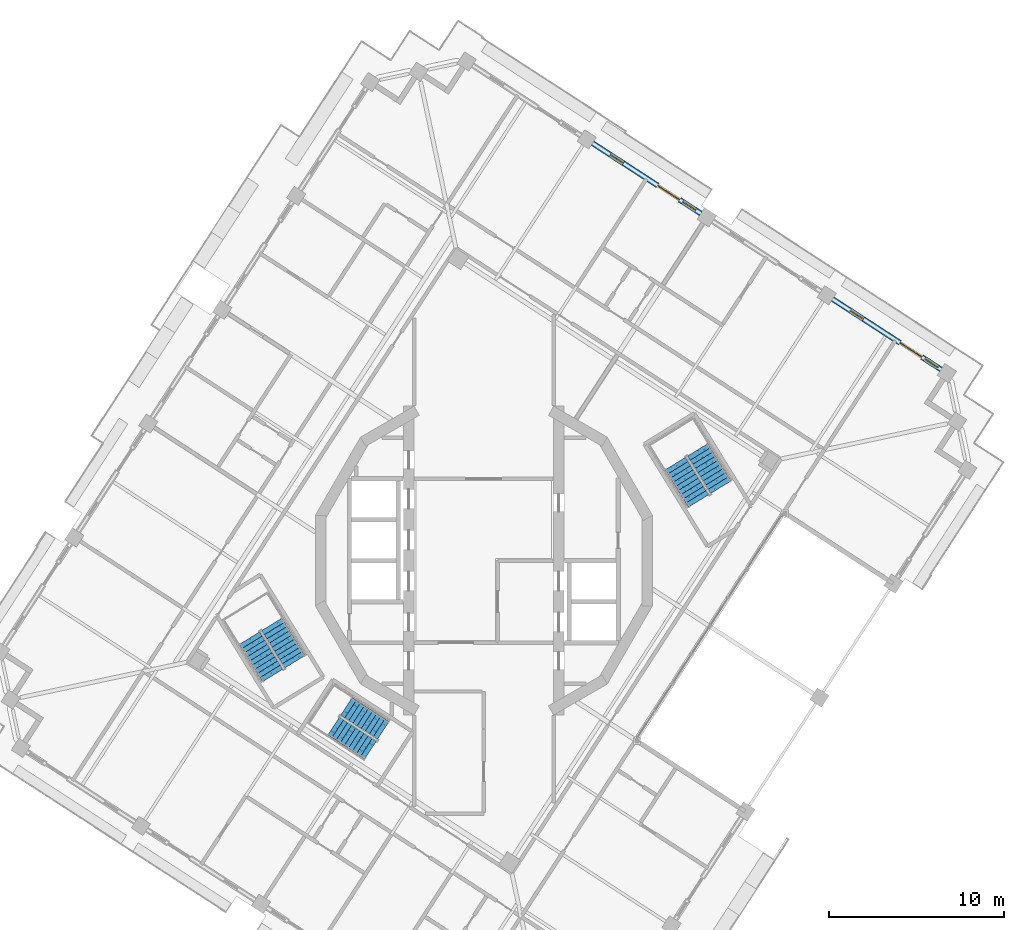
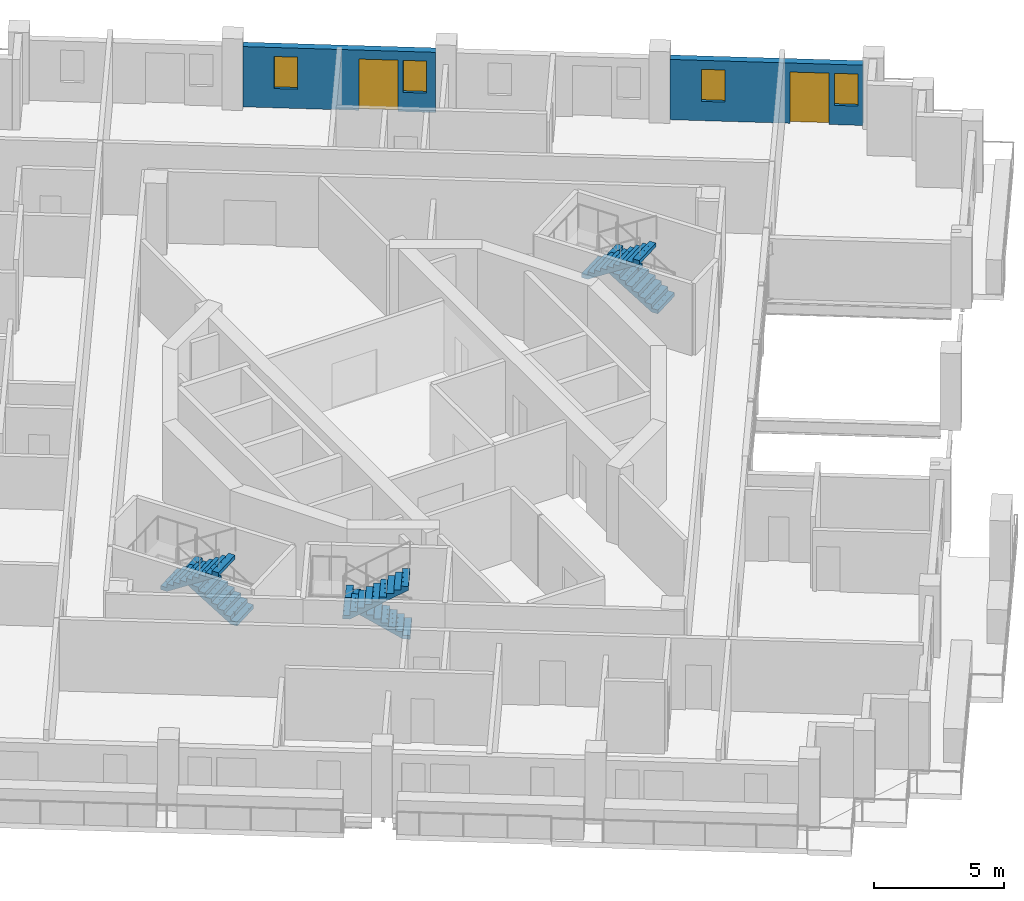
# One storey, part 11 of 17: 6 stair flights, 4 windows, 2 doors, 2 walls, 6 openings, 3 elements without a shape of their own.
"""IFC4 building model written with IfcOpenShell, lengths in metres."""

from ifc_helpers import new_model, si_unit, direction, frame, frame_2d, origin, place, context, subcontext, project, spatial, polyline, rectangle, outline, extrude, material, layer, layer_set, type_object, element, fill, aggregate, save


model = new_model("IFC4")

# Units and contexts
model_context = context("Model", 3, precision=1e-05, world=origin(), true_north=direction((0.0, 1.0)))
body_context = subcontext(model_context, "Body", "Model", "MODEL_VIEW")
ifc_project = project(units=[si_unit("LENGTHUNIT", "METRE"), si_unit("AREAUNIT", "SQUARE_METRE"), si_unit("VOLUMEUNIT", "CUBIC_METRE"), si_unit("PLANEANGLEUNIT", "RADIAN"), si_unit("MASSUNIT", "GRAM", prefix="KILO")], contexts=[model_context])

# Site, building, storey
site_placement = place(None, origin())
site = spatial("IfcSite", under=ifc_project, at=site_placement, CompositionType="ELEMENT")
building_placement = place(site_placement, origin())
building = spatial("IfcBuilding", under=site, at=building_placement, Name="Cantera Rosa Tower", CompositionType="ELEMENT")
storey_placement = place(building_placement, frame((0.0, 0.0, 268.5)))
storey = spatial("IfcBuildingStorey", under=building, at=storey_placement, Name="L60", CompositionType="ELEMENT", Elevation=268.5)

# Wall, openings, windows, door
ifc_material_1 = material(Name="Hollow clay masonry with cantera stone cladding", Category="masonry")
ifc_layer = layer(ifc_material_1, 0.300048828125)
ifc_layer_set = layer_set([ifc_layer], Name="EW-LOGGIA 300 H2820")
wall_type = type_object("IfcWallType", Name="EW-LOGGIA 300 H2820", PredefinedType="SOLIDWALL", material=ifc_layer_set)
wall_1_placement = place(storey_placement, frame((26.1904296875, 10.95263671875, 0.0), z_axis=(0.0, 0.0, 1.0), x_axis=(-0.838669679097, 0.544640403719, 0.0)))
wall_1 = element("IfcWall", 1, at=wall_1_placement, inside=storey, type_object=wall_type, Name="EN-L60-W01", PredefinedType="SOLIDWALL", context=body_context, shape_type="SweptSolid", body=[
    extrude(rectangle(XDim=7.39990234375, YDim=0.300048828125, at=frame_2d((3.699951171875, 0.0))), origin(), (0.0, 0.0, 1.0), 2.820068359375),
])
opening_1_placement = place(wall_1_placement, frame((0.199951171875, 0.0, 0.89990234375)))
opening_1 = element("IfcOpeningElement", 2, at=opening_1_placement, cuts=wall_1, Name="Opening L60-W01", PredefinedType="OPENING", context=body_context, shape_type="SweptSolid", body=[
    extrude(rectangle(XDim=0.89990234375, YDim=1.5, at=frame_2d((0.449951171875, 0.75))), frame((0.0, 0.159912109375, 0.0), z_axis=(0.0, -1.0, 0.0), x_axis=(1.0, 0.0, 0.0)), (0.0, 0.0, 1.0), 0.320068359375),
])
opening_2_placement = place(wall_1_placement, frame((1.300048828125, 0.0, 0.0)))
opening_2 = element("IfcOpeningElement", 3, at=opening_2_placement, cuts=wall_1, Name="Opening L60-TD02", PredefinedType="OPENING", context=body_context, shape_type="SweptSolid", body=[
    extrude(rectangle(XDim=1.5, YDim=2.39990234375, at=frame_2d((0.75, 1.199951171875))), frame((0.0, 0.159912109375, 0.0), z_axis=(0.0, -1.0, 0.0), x_axis=(1.0, 0.0, 0.0)), (0.0, 0.0, 1.0), 0.320068359375),
])
opening_3_placement = place(wall_1_placement, frame((5.300048828125, 0.0, 0.89990234375)))
opening_3 = element("IfcOpeningElement", 4, at=opening_3_placement, cuts=wall_1, Name="Opening L60-W03", PredefinedType="OPENING", context=body_context, shape_type="SweptSolid", body=[
    extrude(rectangle(XDim=0.89990234375, YDim=1.5, at=frame_2d((0.449951171875, 0.75))), frame((0.0, 0.159912109375, 0.0), z_axis=(0.0, -1.0, 0.0), x_axis=(1.0, 0.0, 0.0)), (0.0, 0.0, 1.0), 0.320068359375),
])
ifc_material_2 = material(Name="Aluminium frame with clear glass", Category="aluminium")
window_type = type_object("IfcWindowType", Name="Residential window 900x1500", PartitioningType="SINGLE_PANEL", PredefinedType="WINDOW", material=ifc_material_2)
window_1_placement = place(opening_1_placement, origin())
window_1 = element("IfcWindow", 5, at=window_1_placement, inside=storey, type_object=window_type, Name="WINDOW L60-W01", OverallHeight=1.5, OverallWidth=0.89990234375, PartitioningType="SINGLE_PANEL", PredefinedType="WINDOW", context=body_context, shape_type="SweptSolid", body=[
    extrude(rectangle(XDim=0.89990234375, YDim=1.5, at=frame_2d((0.449951171875, 0.75))), frame((0.0, 0.030029296875, 0.0), z_axis=(0.0, -1.0, 0.0), x_axis=(1.0, 0.0, 0.0)), (0.0, 0.0, 1.0), 0.06005859375),
])
fill(opening_1, window_1)
window_2_placement = place(opening_3_placement, origin())
window_2 = element("IfcWindow", 6, at=window_2_placement, inside=storey, type_object=window_type, Name="WINDOW L60-W03", OverallHeight=1.5, OverallWidth=0.89990234375, PartitioningType="SINGLE_PANEL", PredefinedType="WINDOW", context=body_context, shape_type="SweptSolid", body=[
    extrude(rectangle(XDim=0.89990234375, YDim=1.5, at=frame_2d((0.449951171875, 0.75))), frame((0.0, 0.030029296875, 0.0), z_axis=(0.0, -1.0, 0.0), x_axis=(1.0, 0.0, 0.0)), (0.0, 0.0, 1.0), 0.06005859375),
])
fill(opening_3, window_2)
ifc_material_3 = material(Name="Aluminium frame with clear glass", Category="aluminium")
door_type = type_object("IfcDoorType", Name="TD-R 1500x2400", OperationType="NOTDEFINED", PredefinedType="DOOR", material=ifc_material_3)
door_1_placement = place(opening_2_placement, origin())
door_1 = element("IfcDoor", 7, at=door_1_placement, inside=storey, type_object=door_type, Name="LOGGIA DOOR L60-TD02", OperationType="SLIDING_TO_LEFT", OverallHeight=2.39990234375, OverallWidth=1.5, PredefinedType="DOOR", context=body_context, shape_type="SweptSolid", body=[
    extrude(rectangle(XDim=1.5, YDim=2.39990234375, at=frame_2d((0.75, 1.199951171875))), frame((0.0, 0.02490234375, 0.0), z_axis=(0.0, -1.0, 0.0), x_axis=(1.0, 0.0, 0.0)), (0.0, 0.0, 1.0), 0.050048828125),
])
fill(opening_2, door_1)

wall_2_placement = place(storey_placement, frame((12.436279296875, 19.884765625, 0.0), z_axis=(0.0, 0.0, 1.0), x_axis=(-0.838669679097, 0.544640403719, 0.0)))
wall_2 = element("IfcWall", 8, at=wall_2_placement, inside=storey, type_object=wall_type, Name="EN-L60-W03", PredefinedType="SOLIDWALL", context=body_context, shape_type="SweptSolid", body=[
    extrude(rectangle(XDim=7.39990234375, YDim=0.300048828125, at=frame_2d((3.699951171875, 0.0))), origin(), (0.0, 0.0, 1.0), 2.820068359375),
])
opening_4_placement = place(wall_2_placement, frame((0.35009765625, 0.0, 0.89990234375)))
opening_4 = element("IfcOpeningElement", 9, at=opening_4_placement, cuts=wall_2, Name="Opening L60-W07", PredefinedType="OPENING", context=body_context, shape_type="SweptSolid", body=[
    extrude(rectangle(XDim=0.89990234375, YDim=1.5, at=frame_2d((0.449951171875, 0.75))), frame((0.0, 0.159912109375, 0.0), z_axis=(0.0, -1.0, 0.0), x_axis=(1.0, 0.0, 0.0)), (0.0, 0.0, 1.0), 0.320068359375),
])
opening_5_placement = place(wall_2_placement, frame((1.449951171875, 0.0, 0.0)))
opening_5 = element("IfcOpeningElement", 10, at=opening_5_placement, cuts=wall_2, Name="Opening L60-TD08", PredefinedType="OPENING", context=body_context, shape_type="SweptSolid", body=[
    extrude(rectangle(XDim=1.5, YDim=2.39990234375, at=frame_2d((0.75, 1.199951171875))), frame((0.0, 0.159912109375, 0.0), z_axis=(0.0, -1.0, 0.0), x_axis=(1.0, 0.0, 0.0)), (0.0, 0.0, 1.0), 0.320068359375),
])
opening_6_placement = place(wall_2_placement, frame((5.300048828125, 0.0, 0.89990234375)))
opening_6 = element("IfcOpeningElement", 11, at=opening_6_placement, cuts=wall_2, Name="Opening L60-W09", PredefinedType="OPENING", context=body_context, shape_type="SweptSolid", body=[
    extrude(rectangle(XDim=0.89990234375, YDim=1.5, at=frame_2d((0.449951171875, 0.75))), frame((0.0, 0.159912109375, 0.0), z_axis=(0.0, -1.0, 0.0), x_axis=(1.0, 0.0, 0.0)), (0.0, 0.0, 1.0), 0.320068359375),
])
window_3_placement = place(opening_4_placement, origin())
window_3 = element("IfcWindow", 12, at=window_3_placement, inside=storey, type_object=window_type, Name="WINDOW L60-W07", OverallHeight=1.5, OverallWidth=0.89990234375, PartitioningType="SINGLE_PANEL", PredefinedType="WINDOW", context=body_context, shape_type="SweptSolid", body=[
    extrude(rectangle(XDim=0.89990234375, YDim=1.5, at=frame_2d((0.449951171875, 0.75))), frame((0.0, 0.030029296875, 0.0), z_axis=(0.0, -1.0, 0.0), x_axis=(1.0, 0.0, 0.0)), (0.0, 0.0, 1.0), 0.06005859375),
])
fill(opening_4, window_3)
window_4_placement = place(opening_6_placement, origin())
window_4 = element("IfcWindow", 13, at=window_4_placement, inside=storey, type_object=window_type, Name="WINDOW L60-W09", OverallHeight=1.5, OverallWidth=0.89990234375, PartitioningType="SINGLE_PANEL", PredefinedType="WINDOW", context=body_context, shape_type="SweptSolid", body=[
    extrude(rectangle(XDim=0.89990234375, YDim=1.5, at=frame_2d((0.449951171875, 0.75))), frame((0.0, 0.030029296875, 0.0), z_axis=(0.0, -1.0, 0.0), x_axis=(1.0, 0.0, 0.0)), (0.0, 0.0, 1.0), 0.06005859375),
])
fill(opening_6, window_4)
door_2_placement = place(opening_5_placement, origin())
door_2 = element("IfcDoor", 14, at=door_2_placement, inside=storey, type_object=door_type, Name="LOGGIA DOOR L60-TD08", OperationType="SLIDING_TO_LEFT", OverallHeight=2.39990234375, OverallWidth=1.5, PredefinedType="DOOR", context=body_context, shape_type="SweptSolid", body=[
    extrude(rectangle(XDim=1.5, YDim=2.39990234375, at=frame_2d((0.75, 1.199951171875))), frame((0.0, 0.02490234375, 0.0), z_axis=(0.0, -1.0, 0.0), x_axis=(1.0, 0.0, 0.0)), (0.0, 0.0, 1.0), 0.050048828125),
])
fill(opening_5, door_2)

# Stair, stair flights
ifc_material_4 = material(Name="Concrete C35/45", Category="concrete")
stair_type_1 = type_object("IfcStairType", Name="EXIT STAIR 1200 DOGLEG", PredefinedType="HALF_TURN_STAIR", material=ifc_material_4)
stair_1_placement = place(storey_placement, origin())
stair_1 = element("IfcStair", 15, at=stair_1_placement, inside=storey, type_object=stair_type_1, Name="L60 ST-53", PredefinedType="HALF_TURN_STAIR")
ifc_material_5 = material(Name="Concrete C35/45", Category="concrete")
stair_flight_type_1 = type_object("IfcStairFlightType", Name="STAIR FLIGHT 1200 R20x180", PredefinedType="STRAIGHT", material=ifc_material_5)
stair_flight_1_placement = place(storey_placement, frame((-5.76318359375, -9.728271484375, 0.0), z_axis=(0.0, 0.0, 1.0), x_axis=(-0.838670567945, 0.544639035015, 0.0)))
stair_flight_1 = element("IfcStairFlight", 16, at=stair_flight_1_placement, type_object=stair_flight_type_1, Name="ST-53 flight 1", NumberOfRisers=10, NumberOfTreads=9, PredefinedType="STRAIGHT", RiserHeight=0.18, TreadLength=0.28, context=body_context, shape_type="SweptSolid", body=[
    extrude(outline(polyline([(0.0, 0.0), (0.0, 0.179931640625), (0.280029296875, 0.179931640625), (0.280029296875, 0.360107421875), (0.56005859375, 0.360107421875), (0.56005859375, 0.5400390625), (0.840087890625, 0.5400390625), (0.840087890625, 0.719970703125), (1.1201171875, 0.719970703125), (1.1201171875, 0.89990234375), (1.39990234375, 0.89990234375), (1.39990234375, 1.080078125), (1.679931640625, 1.080078125), (1.679931640625, 1.260009765625), (1.9599609375, 1.260009765625), (1.9599609375, 1.43994140625), (2.239990234375, 1.43994140625), (2.239990234375, 1.6201171875), (2.52001953125, 1.6201171875), (2.52001953125, 1.800048828125), (2.52001953125, 1.44189453125), (0.277099609375, 0.0), (0.0, 0.0)])), frame((0.0, 0.60009765625, 0.0), z_axis=(0.0, -1.0, 0.0), x_axis=(1.0, 0.0, 0.0)), (0.0, 0.0, 1.0), 0.298583984375),
    extrude(outline(polyline([(0.0, 0.0), (0.0, 0.179931640625), (0.280029296875, 0.179931640625), (0.280029296875, 0.360107421875), (0.56005859375, 0.360107421875), (0.56005859375, 0.5400390625), (0.840087890625, 0.5400390625), (0.840087890625, 0.719970703125), (1.1201171875, 0.719970703125), (1.1201171875, 0.89990234375), (1.39990234375, 0.89990234375), (1.39990234375, 1.080078125), (1.679931640625, 1.080078125), (1.679931640625, 1.260009765625), (1.9599609375, 1.260009765625), (1.9599609375, 1.43994140625), (2.239990234375, 1.43994140625), (2.239990234375, 1.6201171875), (2.52001953125, 1.6201171875), (2.52001953125, 1.800048828125), (2.52001953125, 1.44189453125), (0.277099609375, 0.0), (0.0, 0.0)])), frame((0.0, 0.29931640625, 0.0), z_axis=(0.0, -1.0, 0.0), x_axis=(1.0, 0.0, 0.0)), (0.0, 0.0, 1.0), 0.298583984375),
    extrude(outline(polyline([(0.0, 0.0), (0.0, 0.179931640625), (0.280029296875, 0.179931640625), (0.280029296875, 0.360107421875), (0.56005859375, 0.360107421875), (0.56005859375, 0.5400390625), (0.840087890625, 0.5400390625), (0.840087890625, 0.719970703125), (1.1201171875, 0.719970703125), (1.1201171875, 0.89990234375), (1.39990234375, 0.89990234375), (1.39990234375, 1.080078125), (1.679931640625, 1.080078125), (1.679931640625, 1.260009765625), (1.9599609375, 1.260009765625), (1.9599609375, 1.43994140625), (2.239990234375, 1.43994140625), (2.239990234375, 1.6201171875), (2.52001953125, 1.6201171875), (2.52001953125, 1.800048828125), (2.52001953125, 1.44189453125), (0.277099609375, 0.0), (0.0, 0.0)])), frame((0.0, -0.0009765625, 0.0), z_axis=(0.0, -1.0, 0.0), x_axis=(1.0, 0.0, 0.0)), (0.0, 0.0, 1.0), 0.298583984375),
    extrude(outline(polyline([(0.0, 0.0), (0.0, 0.179931640625), (0.280029296875, 0.179931640625), (0.280029296875, 0.360107421875), (0.56005859375, 0.360107421875), (0.56005859375, 0.5400390625), (0.840087890625, 0.5400390625), (0.840087890625, 0.719970703125), (1.1201171875, 0.719970703125), (1.1201171875, 0.89990234375), (1.39990234375, 0.89990234375), (1.39990234375, 1.080078125), (1.679931640625, 1.080078125), (1.679931640625, 1.260009765625), (1.9599609375, 1.260009765625), (1.9599609375, 1.43994140625), (2.239990234375, 1.43994140625), (2.239990234375, 1.6201171875), (2.52001953125, 1.6201171875), (2.52001953125, 1.800048828125), (2.52001953125, 1.44189453125), (0.277099609375, 0.0), (0.0, 0.0)])), frame((0.0, -0.3017578125, 0.0), z_axis=(0.0, -1.0, 0.0), x_axis=(1.0, 0.0, 0.0)), (0.0, 0.0, 1.0), 0.298583984375),
])
stair_flight_2_placement = place(storey_placement, frame((-8.61181640625, -9.488037109375, 1.800048828125), z_axis=(0.0, 0.0, 1.0), x_axis=(0.838670567945, -0.544639035015, 0.0)))
stair_flight_2 = element("IfcStairFlight", 17, at=stair_flight_2_placement, type_object=stair_flight_type_1, Name="ST-53 flight 2", NumberOfRisers=10, NumberOfTreads=9, PredefinedType="STRAIGHT", RiserHeight=0.18, TreadLength=0.28, context=body_context, shape_type="SweptSolid", body=[
    extrude(outline(polyline([(0.0, 0.0), (0.0, 0.179931640625), (0.280029296875, 0.179931640625), (0.280029296875, 0.360107421875), (0.56005859375, 0.360107421875), (0.56005859375, 0.5400390625), (0.840087890625, 0.5400390625), (0.840087890625, 0.719970703125), (1.1201171875, 0.719970703125), (1.1201171875, 0.89990234375), (1.39990234375, 0.89990234375), (1.39990234375, 1.080078125), (1.679931640625, 1.080078125), (1.679931640625, 1.260009765625), (1.9599609375, 1.260009765625), (1.9599609375, 1.43994140625), (2.239990234375, 1.43994140625), (2.239990234375, 1.6201171875), (2.52001953125, 1.6201171875), (2.52001953125, 1.800048828125), (2.52001953125, 1.44189453125), (0.277099609375, 0.0), (0.0, 0.0)])), frame((0.0, 0.60009765625, 0.0), z_axis=(0.0, -1.0, 0.0), x_axis=(1.0, 0.0, 0.0)), (0.0, 0.0, 1.0), 0.298583984375),
    extrude(outline(polyline([(0.0, 0.0), (0.0, 0.179931640625), (0.280029296875, 0.179931640625), (0.280029296875, 0.360107421875), (0.56005859375, 0.360107421875), (0.56005859375, 0.5400390625), (0.840087890625, 0.5400390625), (0.840087890625, 0.719970703125), (1.1201171875, 0.719970703125), (1.1201171875, 0.89990234375), (1.39990234375, 0.89990234375), (1.39990234375, 1.080078125), (1.679931640625, 1.080078125), (1.679931640625, 1.260009765625), (1.9599609375, 1.260009765625), (1.9599609375, 1.43994140625), (2.239990234375, 1.43994140625), (2.239990234375, 1.6201171875), (2.52001953125, 1.6201171875), (2.52001953125, 1.800048828125), (2.52001953125, 1.44189453125), (0.277099609375, 0.0), (0.0, 0.0)])), frame((0.0, 0.29931640625, 0.0), z_axis=(0.0, -1.0, 0.0), x_axis=(1.0, 0.0, 0.0)), (0.0, 0.0, 1.0), 0.298583984375),
    extrude(outline(polyline([(0.0, 0.0), (0.0, 0.179931640625), (0.280029296875, 0.179931640625), (0.280029296875, 0.360107421875), (0.56005859375, 0.360107421875), (0.56005859375, 0.5400390625), (0.840087890625, 0.5400390625), (0.840087890625, 0.719970703125), (1.1201171875, 0.719970703125), (1.1201171875, 0.89990234375), (1.39990234375, 0.89990234375), (1.39990234375, 1.080078125), (1.679931640625, 1.080078125), (1.679931640625, 1.260009765625), (1.9599609375, 1.260009765625), (1.9599609375, 1.43994140625), (2.239990234375, 1.43994140625), (2.239990234375, 1.6201171875), (2.52001953125, 1.6201171875), (2.52001953125, 1.800048828125), (2.52001953125, 1.44189453125), (0.277099609375, 0.0), (0.0, 0.0)])), frame((0.0, -0.0009765625, 0.0), z_axis=(0.0, -1.0, 0.0), x_axis=(1.0, 0.0, 0.0)), (0.0, 0.0, 1.0), 0.298583984375),
    extrude(outline(polyline([(0.0, 0.0), (0.0, 0.179931640625), (0.280029296875, 0.179931640625), (0.280029296875, 0.360107421875), (0.56005859375, 0.360107421875), (0.56005859375, 0.5400390625), (0.840087890625, 0.5400390625), (0.840087890625, 0.719970703125), (1.1201171875, 0.719970703125), (1.1201171875, 0.89990234375), (1.39990234375, 0.89990234375), (1.39990234375, 1.080078125), (1.679931640625, 1.080078125), (1.679931640625, 1.260009765625), (1.9599609375, 1.260009765625), (1.9599609375, 1.43994140625), (2.239990234375, 1.43994140625), (2.239990234375, 1.6201171875), (2.52001953125, 1.6201171875), (2.52001953125, 1.800048828125), (2.52001953125, 1.44189453125), (0.277099609375, 0.0), (0.0, 0.0)])), frame((0.0, -0.3017578125, 0.0), z_axis=(0.0, -1.0, 0.0), x_axis=(1.0, 0.0, 0.0)), (0.0, 0.0, 1.0), 0.298583984375),
])
aggregate(stair_1, [stair_flight_1, stair_flight_2])

ifc_material_6 = material(Name="Concrete C35/45", Category="concrete")
stair_type_2 = type_object("IfcStairType", Name="EXIT STAIR 1350 DOGLEG", PredefinedType="HALF_TURN_STAIR", material=ifc_material_6)
stair_2_placement = place(storey_placement, origin())
stair_2 = element("IfcStair", 18, at=stair_2_placement, inside=storey, type_object=stair_type_2, Name="L60 ST-51", PredefinedType="HALF_TURN_STAIR")
ifc_material_7 = material(Name="Concrete C35/45", Category="concrete")
stair_flight_type_2 = type_object("IfcStairFlightType", Name="STAIR FLIGHT 1350 R20x180", PredefinedType="STRAIGHT", material=ifc_material_7)
stair_flight_3_placement = place(storey_placement, frame((13.5732421875, 4.2021484375, 0.0), z_axis=(0.0, 0.0, 1.0), x_axis=(-0.524976585286, 0.851116669383, 0.0)))
stair_flight_3 = element("IfcStairFlight", 19, at=stair_flight_3_placement, type_object=stair_flight_type_2, Name="ST-51 flight 1", NumberOfRisers=10, NumberOfTreads=9, PredefinedType="STRAIGHT", RiserHeight=0.18, TreadLength=0.28, context=body_context, shape_type="SweptSolid", body=[
    extrude(outline(polyline([(0.0, 0.0), (0.0, 0.179931640625), (0.280029296875, 0.179931640625), (0.280029296875, 0.360107421875), (0.56005859375, 0.360107421875), (0.56005859375, 0.5400390625), (0.840087890625, 0.5400390625), (0.840087890625, 0.719970703125), (1.1201171875, 0.719970703125), (1.1201171875, 0.89990234375), (1.39990234375, 0.89990234375), (1.39990234375, 1.080078125), (1.679931640625, 1.080078125), (1.679931640625, 1.260009765625), (1.9599609375, 1.260009765625), (1.9599609375, 1.43994140625), (2.239990234375, 1.43994140625), (2.239990234375, 1.6201171875), (2.52001953125, 1.6201171875), (2.52001953125, 1.800048828125), (2.52001953125, 1.44189453125), (0.277099609375, 0.0), (0.0, 0.0)])), frame((0.0, 0.675048828125, 0.0), z_axis=(0.0, -1.0, 0.0), x_axis=(1.0, 0.0, 0.0)), (0.0, 0.0, 1.0), 0.3359375),
    extrude(outline(polyline([(0.0, 0.0), (0.0, 0.179931640625), (0.280029296875, 0.179931640625), (0.280029296875, 0.360107421875), (0.56005859375, 0.360107421875), (0.56005859375, 0.5400390625), (0.840087890625, 0.5400390625), (0.840087890625, 0.719970703125), (1.1201171875, 0.719970703125), (1.1201171875, 0.89990234375), (1.39990234375, 0.89990234375), (1.39990234375, 1.080078125), (1.679931640625, 1.080078125), (1.679931640625, 1.260009765625), (1.9599609375, 1.260009765625), (1.9599609375, 1.43994140625), (2.239990234375, 1.43994140625), (2.239990234375, 1.6201171875), (2.52001953125, 1.6201171875), (2.52001953125, 1.800048828125), (2.52001953125, 1.44189453125), (0.277099609375, 0.0), (0.0, 0.0)])), frame((0.0, 0.337158203125, 0.0), z_axis=(0.0, -1.0, 0.0), x_axis=(1.0, 0.0, 0.0)), (0.0, 0.0, 1.0), 0.3359375),
    extrude(outline(polyline([(0.0, 0.0), (0.0, 0.179931640625), (0.280029296875, 0.179931640625), (0.280029296875, 0.360107421875), (0.56005859375, 0.360107421875), (0.56005859375, 0.5400390625), (0.840087890625, 0.5400390625), (0.840087890625, 0.719970703125), (1.1201171875, 0.719970703125), (1.1201171875, 0.89990234375), (1.39990234375, 0.89990234375), (1.39990234375, 1.080078125), (1.679931640625, 1.080078125), (1.679931640625, 1.260009765625), (1.9599609375, 1.260009765625), (1.9599609375, 1.43994140625), (2.239990234375, 1.43994140625), (2.239990234375, 1.6201171875), (2.52001953125, 1.6201171875), (2.52001953125, 1.800048828125), (2.52001953125, 1.44189453125), (0.277099609375, 0.0), (0.0, 0.0)])), frame((0.0, -0.000732421875, 0.0), z_axis=(0.0, -1.0, 0.0), x_axis=(1.0, 0.0, 0.0)), (0.0, 0.0, 1.0), 0.3359375),
    extrude(outline(polyline([(0.0, 0.0), (0.0, 0.179931640625), (0.280029296875, 0.179931640625), (0.280029296875, 0.360107421875), (0.56005859375, 0.360107421875), (0.56005859375, 0.5400390625), (0.840087890625, 0.5400390625), (0.840087890625, 0.719970703125), (1.1201171875, 0.719970703125), (1.1201171875, 0.89990234375), (1.39990234375, 0.89990234375), (1.39990234375, 1.080078125), (1.679931640625, 1.080078125), (1.679931640625, 1.260009765625), (1.9599609375, 1.260009765625), (1.9599609375, 1.43994140625), (2.239990234375, 1.43994140625), (2.239990234375, 1.6201171875), (2.52001953125, 1.6201171875), (2.52001953125, 1.800048828125), (2.52001953125, 1.44189453125), (0.277099609375, 0.0), (0.0, 0.0)])), frame((0.0, -0.338623046875, 0.0), z_axis=(0.0, -1.0, 0.0), x_axis=(1.0, 0.0, 0.0)), (0.0, 0.0, 1.0), 0.3359375),
])
stair_flight_4_placement = place(storey_placement, frame((10.9736328125, 5.5595703125, 1.800048828125), z_axis=(0.0, 0.0, 1.0), x_axis=(0.524976585286, -0.851116669383, 0.0)))
stair_flight_4 = element("IfcStairFlight", 20, at=stair_flight_4_placement, type_object=stair_flight_type_2, Name="ST-51 flight 2", NumberOfRisers=10, NumberOfTreads=9, PredefinedType="STRAIGHT", RiserHeight=0.18, TreadLength=0.28, context=body_context, shape_type="SweptSolid", body=[
    extrude(outline(polyline([(0.0, 0.0), (0.0, 0.179931640625), (0.280029296875, 0.179931640625), (0.280029296875, 0.360107421875), (0.56005859375, 0.360107421875), (0.56005859375, 0.5400390625), (0.840087890625, 0.5400390625), (0.840087890625, 0.719970703125), (1.1201171875, 0.719970703125), (1.1201171875, 0.89990234375), (1.39990234375, 0.89990234375), (1.39990234375, 1.080078125), (1.679931640625, 1.080078125), (1.679931640625, 1.260009765625), (1.9599609375, 1.260009765625), (1.9599609375, 1.43994140625), (2.239990234375, 1.43994140625), (2.239990234375, 1.6201171875), (2.52001953125, 1.6201171875), (2.52001953125, 1.800048828125), (2.52001953125, 1.44189453125), (0.277099609375, 0.0), (0.0, 0.0)])), frame((0.0, 0.675048828125, 0.0), z_axis=(0.0, -1.0, 0.0), x_axis=(1.0, 0.0, 0.0)), (0.0, 0.0, 1.0), 0.3359375),
    extrude(outline(polyline([(0.0, 0.0), (0.0, 0.179931640625), (0.280029296875, 0.179931640625), (0.280029296875, 0.360107421875), (0.56005859375, 0.360107421875), (0.56005859375, 0.5400390625), (0.840087890625, 0.5400390625), (0.840087890625, 0.719970703125), (1.1201171875, 0.719970703125), (1.1201171875, 0.89990234375), (1.39990234375, 0.89990234375), (1.39990234375, 1.080078125), (1.679931640625, 1.080078125), (1.679931640625, 1.260009765625), (1.9599609375, 1.260009765625), (1.9599609375, 1.43994140625), (2.239990234375, 1.43994140625), (2.239990234375, 1.6201171875), (2.52001953125, 1.6201171875), (2.52001953125, 1.800048828125), (2.52001953125, 1.44189453125), (0.277099609375, 0.0), (0.0, 0.0)])), frame((0.0, 0.337158203125, 0.0), z_axis=(0.0, -1.0, 0.0), x_axis=(1.0, 0.0, 0.0)), (0.0, 0.0, 1.0), 0.3359375),
    extrude(outline(polyline([(0.0, 0.0), (0.0, 0.179931640625), (0.280029296875, 0.179931640625), (0.280029296875, 0.360107421875), (0.56005859375, 0.360107421875), (0.56005859375, 0.5400390625), (0.840087890625, 0.5400390625), (0.840087890625, 0.719970703125), (1.1201171875, 0.719970703125), (1.1201171875, 0.89990234375), (1.39990234375, 0.89990234375), (1.39990234375, 1.080078125), (1.679931640625, 1.080078125), (1.679931640625, 1.260009765625), (1.9599609375, 1.260009765625), (1.9599609375, 1.43994140625), (2.239990234375, 1.43994140625), (2.239990234375, 1.6201171875), (2.52001953125, 1.6201171875), (2.52001953125, 1.800048828125), (2.52001953125, 1.44189453125), (0.277099609375, 0.0), (0.0, 0.0)])), frame((0.0, -0.000732421875, 0.0), z_axis=(0.0, -1.0, 0.0), x_axis=(1.0, 0.0, 0.0)), (0.0, 0.0, 1.0), 0.3359375),
    extrude(outline(polyline([(0.0, 0.0), (0.0, 0.179931640625), (0.280029296875, 0.179931640625), (0.280029296875, 0.360107421875), (0.56005859375, 0.360107421875), (0.56005859375, 0.5400390625), (0.840087890625, 0.5400390625), (0.840087890625, 0.719970703125), (1.1201171875, 0.719970703125), (1.1201171875, 0.89990234375), (1.39990234375, 0.89990234375), (1.39990234375, 1.080078125), (1.679931640625, 1.080078125), (1.679931640625, 1.260009765625), (1.9599609375, 1.260009765625), (1.9599609375, 1.43994140625), (2.239990234375, 1.43994140625), (2.239990234375, 1.6201171875), (2.52001953125, 1.6201171875), (2.52001953125, 1.800048828125), (2.52001953125, 1.44189453125), (0.277099609375, 0.0), (0.0, 0.0)])), frame((0.0, -0.338623046875, 0.0), z_axis=(0.0, -1.0, 0.0), x_axis=(1.0, 0.0, 0.0)), (0.0, 0.0, 1.0), 0.3359375),
])
aggregate(stair_2, [stair_flight_3, stair_flight_4])

stair_3_placement = place(storey_placement, origin())
stair_3 = element("IfcStair", 21, at=stair_3_placement, inside=storey, type_object=stair_type_2, Name="L60 ST-52", PredefinedType="HALF_TURN_STAIR")
stair_flight_5_placement = place(storey_placement, frame((-10.82666015625, -5.7978515625, 0.0), z_axis=(0.0, 0.0, 1.0), x_axis=(-0.524976585286, 0.851116669383, 0.0)))
stair_flight_5 = element("IfcStairFlight", 22, at=stair_flight_5_placement, type_object=stair_flight_type_2, Name="ST-52 flight 1", NumberOfRisers=10, NumberOfTreads=9, PredefinedType="STRAIGHT", RiserHeight=0.18, TreadLength=0.28, context=body_context, shape_type="SweptSolid", body=[
    extrude(outline(polyline([(0.0, 0.0), (0.0, 0.179931640625), (0.280029296875, 0.179931640625), (0.280029296875, 0.360107421875), (0.56005859375, 0.360107421875), (0.56005859375, 0.5400390625), (0.840087890625, 0.5400390625), (0.840087890625, 0.719970703125), (1.1201171875, 0.719970703125), (1.1201171875, 0.89990234375), (1.39990234375, 0.89990234375), (1.39990234375, 1.080078125), (1.679931640625, 1.080078125), (1.679931640625, 1.260009765625), (1.9599609375, 1.260009765625), (1.9599609375, 1.43994140625), (2.239990234375, 1.43994140625), (2.239990234375, 1.6201171875), (2.52001953125, 1.6201171875), (2.52001953125, 1.800048828125), (2.52001953125, 1.44189453125), (0.277099609375, 0.0), (0.0, 0.0)])), frame((0.0, 0.675048828125, 0.0), z_axis=(0.0, -1.0, 0.0), x_axis=(1.0, 0.0, 0.0)), (0.0, 0.0, 1.0), 0.3359375),
    extrude(outline(polyline([(0.0, 0.0), (0.0, 0.179931640625), (0.280029296875, 0.179931640625), (0.280029296875, 0.360107421875), (0.56005859375, 0.360107421875), (0.56005859375, 0.5400390625), (0.840087890625, 0.5400390625), (0.840087890625, 0.719970703125), (1.1201171875, 0.719970703125), (1.1201171875, 0.89990234375), (1.39990234375, 0.89990234375), (1.39990234375, 1.080078125), (1.679931640625, 1.080078125), (1.679931640625, 1.260009765625), (1.9599609375, 1.260009765625), (1.9599609375, 1.43994140625), (2.239990234375, 1.43994140625), (2.239990234375, 1.6201171875), (2.52001953125, 1.6201171875), (2.52001953125, 1.800048828125), (2.52001953125, 1.44189453125), (0.277099609375, 0.0), (0.0, 0.0)])), frame((0.0, 0.337158203125, 0.0), z_axis=(0.0, -1.0, 0.0), x_axis=(1.0, 0.0, 0.0)), (0.0, 0.0, 1.0), 0.3359375),
    extrude(outline(polyline([(0.0, 0.0), (0.0, 0.179931640625), (0.280029296875, 0.179931640625), (0.280029296875, 0.360107421875), (0.56005859375, 0.360107421875), (0.56005859375, 0.5400390625), (0.840087890625, 0.5400390625), (0.840087890625, 0.719970703125), (1.1201171875, 0.719970703125), (1.1201171875, 0.89990234375), (1.39990234375, 0.89990234375), (1.39990234375, 1.080078125), (1.679931640625, 1.080078125), (1.679931640625, 1.260009765625), (1.9599609375, 1.260009765625), (1.9599609375, 1.43994140625), (2.239990234375, 1.43994140625), (2.239990234375, 1.6201171875), (2.52001953125, 1.6201171875), (2.52001953125, 1.800048828125), (2.52001953125, 1.44189453125), (0.277099609375, 0.0), (0.0, 0.0)])), frame((0.0, -0.000732421875, 0.0), z_axis=(0.0, -1.0, 0.0), x_axis=(1.0, 0.0, 0.0)), (0.0, 0.0, 1.0), 0.3359375),
    extrude(outline(polyline([(0.0, 0.0), (0.0, 0.179931640625), (0.280029296875, 0.179931640625), (0.280029296875, 0.360107421875), (0.56005859375, 0.360107421875), (0.56005859375, 0.5400390625), (0.840087890625, 0.5400390625), (0.840087890625, 0.719970703125), (1.1201171875, 0.719970703125), (1.1201171875, 0.89990234375), (1.39990234375, 0.89990234375), (1.39990234375, 1.080078125), (1.679931640625, 1.080078125), (1.679931640625, 1.260009765625), (1.9599609375, 1.260009765625), (1.9599609375, 1.43994140625), (2.239990234375, 1.43994140625), (2.239990234375, 1.6201171875), (2.52001953125, 1.6201171875), (2.52001953125, 1.800048828125), (2.52001953125, 1.44189453125), (0.277099609375, 0.0), (0.0, 0.0)])), frame((0.0, -0.338623046875, 0.0), z_axis=(0.0, -1.0, 0.0), x_axis=(1.0, 0.0, 0.0)), (0.0, 0.0, 1.0), 0.3359375),
])
stair_flight_6_placement = place(storey_placement, frame((-13.42626953125, -4.4404296875, 1.800048828125), z_axis=(0.0, 0.0, 1.0), x_axis=(0.524976585286, -0.851116669383, 0.0)))
stair_flight_6 = element("IfcStairFlight", 23, at=stair_flight_6_placement, type_object=stair_flight_type_2, Name="ST-52 flight 2", NumberOfRisers=10, NumberOfTreads=9, PredefinedType="STRAIGHT", RiserHeight=0.18, TreadLength=0.28, context=body_context, shape_type="SweptSolid", body=[
    extrude(outline(polyline([(0.0, 0.0), (0.0, 0.179931640625), (0.280029296875, 0.179931640625), (0.280029296875, 0.360107421875), (0.56005859375, 0.360107421875), (0.56005859375, 0.5400390625), (0.840087890625, 0.5400390625), (0.840087890625, 0.719970703125), (1.1201171875, 0.719970703125), (1.1201171875, 0.89990234375), (1.39990234375, 0.89990234375), (1.39990234375, 1.080078125), (1.679931640625, 1.080078125), (1.679931640625, 1.260009765625), (1.9599609375, 1.260009765625), (1.9599609375, 1.43994140625), (2.239990234375, 1.43994140625), (2.239990234375, 1.6201171875), (2.52001953125, 1.6201171875), (2.52001953125, 1.800048828125), (2.52001953125, 1.44189453125), (0.277099609375, 0.0), (0.0, 0.0)])), frame((0.0, 0.675048828125, 0.0), z_axis=(0.0, -1.0, 0.0), x_axis=(1.0, 0.0, 0.0)), (0.0, 0.0, 1.0), 0.3359375),
    extrude(outline(polyline([(0.0, 0.0), (0.0, 0.179931640625), (0.280029296875, 0.179931640625), (0.280029296875, 0.360107421875), (0.56005859375, 0.360107421875), (0.56005859375, 0.5400390625), (0.840087890625, 0.5400390625), (0.840087890625, 0.719970703125), (1.1201171875, 0.719970703125), (1.1201171875, 0.89990234375), (1.39990234375, 0.89990234375), (1.39990234375, 1.080078125), (1.679931640625, 1.080078125), (1.679931640625, 1.260009765625), (1.9599609375, 1.260009765625), (1.9599609375, 1.43994140625), (2.239990234375, 1.43994140625), (2.239990234375, 1.6201171875), (2.52001953125, 1.6201171875), (2.52001953125, 1.800048828125), (2.52001953125, 1.44189453125), (0.277099609375, 0.0), (0.0, 0.0)])), frame((0.0, 0.337158203125, 0.0), z_axis=(0.0, -1.0, 0.0), x_axis=(1.0, 0.0, 0.0)), (0.0, 0.0, 1.0), 0.3359375),
    extrude(outline(polyline([(0.0, 0.0), (0.0, 0.179931640625), (0.280029296875, 0.179931640625), (0.280029296875, 0.360107421875), (0.56005859375, 0.360107421875), (0.56005859375, 0.5400390625), (0.840087890625, 0.5400390625), (0.840087890625, 0.719970703125), (1.1201171875, 0.719970703125), (1.1201171875, 0.89990234375), (1.39990234375, 0.89990234375), (1.39990234375, 1.080078125), (1.679931640625, 1.080078125), (1.679931640625, 1.260009765625), (1.9599609375, 1.260009765625), (1.9599609375, 1.43994140625), (2.239990234375, 1.43994140625), (2.239990234375, 1.6201171875), (2.52001953125, 1.6201171875), (2.52001953125, 1.800048828125), (2.52001953125, 1.44189453125), (0.277099609375, 0.0), (0.0, 0.0)])), frame((0.0, -0.000732421875, 0.0), z_axis=(0.0, -1.0, 0.0), x_axis=(1.0, 0.0, 0.0)), (0.0, 0.0, 1.0), 0.3359375),
    extrude(outline(polyline([(0.0, 0.0), (0.0, 0.179931640625), (0.280029296875, 0.179931640625), (0.280029296875, 0.360107421875), (0.56005859375, 0.360107421875), (0.56005859375, 0.5400390625), (0.840087890625, 0.5400390625), (0.840087890625, 0.719970703125), (1.1201171875, 0.719970703125), (1.1201171875, 0.89990234375), (1.39990234375, 0.89990234375), (1.39990234375, 1.080078125), (1.679931640625, 1.080078125), (1.679931640625, 1.260009765625), (1.9599609375, 1.260009765625), (1.9599609375, 1.43994140625), (2.239990234375, 1.43994140625), (2.239990234375, 1.6201171875), (2.52001953125, 1.6201171875), (2.52001953125, 1.800048828125), (2.52001953125, 1.44189453125), (0.277099609375, 0.0), (0.0, 0.0)])), frame((0.0, -0.338623046875, 0.0), z_axis=(0.0, -1.0, 0.0), x_axis=(1.0, 0.0, 0.0)), (0.0, 0.0, 1.0), 0.3359375),
])
aggregate(stair_3, [stair_flight_5, stair_flight_6])

save(model, "model.ifc")
